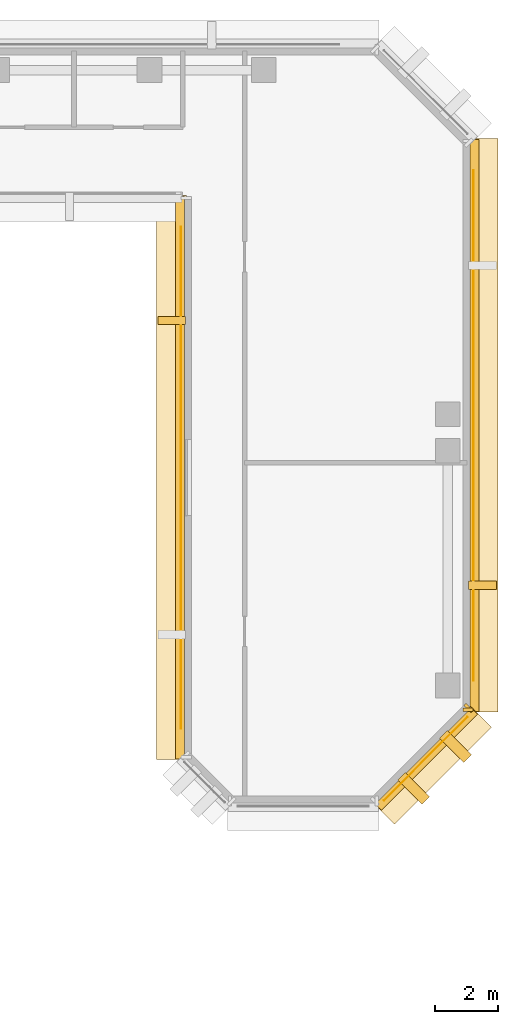
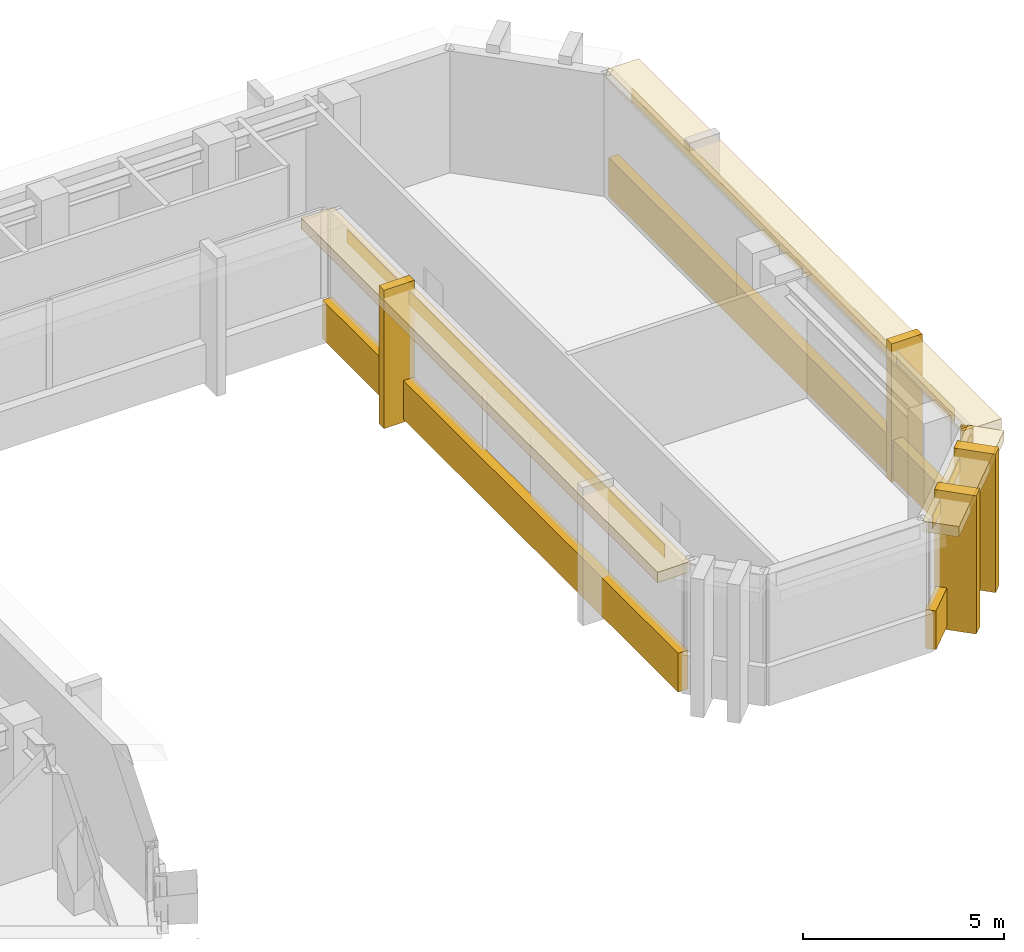
# One storey, part 10 of 12: 15 coverings.
"""IFC4 building model written with IfcOpenShell, lengths in metres."""

from ifc_helpers import new_model, si_unit, direction, frame, origin, origin_2d, place, context, subcontext, project, spatial, rectangle, extrude, material, layer, layer_set, type_object, element, save


model = new_model("IFC4")

# Units and contexts
model_context = context("Model", 3, precision=1e-05, world=origin(), true_north=direction((0.0, 1.0)))
body_context = subcontext(model_context, "Body", "Model", "MODEL_VIEW")
ifc_project = project(units=[si_unit("LENGTHUNIT", "METRE"), si_unit("AREAUNIT", "SQUARE_METRE"), si_unit("VOLUMEUNIT", "CUBIC_METRE"), si_unit("PLANEANGLEUNIT", "RADIAN"), si_unit("MASSUNIT", "GRAM", prefix="KILO")], contexts=[model_context])

# Site, building, storey
site_placement = place(None, origin())
site = spatial("IfcSite", under=ifc_project, at=site_placement, CompositionType="ELEMENT")
building_placement = place(site_placement, origin())
building = spatial("IfcBuilding", under=site, at=building_placement, Name="Kefirva Bronze Tower", CompositionType="ELEMENT")
storey_placement = place(building_placement, frame((0.0, 0.0, 235.6201171875)))
storey = spatial("IfcBuildingStorey", under=building, at=storey_placement, Name="L57", CompositionType="ELEMENT", Elevation=235.6201171875)

# Coverings
ifc_material = material(Name="Bronze anodised aluminium", Category="aluminium")
ifc_layer_1 = layer(ifc_material, 0.02001953125, Name="Bronze anodised aluminium")
ifc_layer_set_1 = layer_set([ifc_layer_1], Name="Bronze anodised aluminium")
covering_type_1 = type_object("IfcCoveringType", Name="Anodised Bronze Spandrel Cladding 20mm", PredefinedType="CLADDING", material=ifc_layer_set_1)
covering_1_placement = place(storey_placement, frame((40.989990234375, 32.35009765625, 3.2900390625), z_axis=(0.0, 0.0, 1.0), x_axis=(0.0, -1.0, 0.0)))
element("IfcCovering", 1, at=covering_1_placement, inside=storey, type_object=covering_type_1, Name="L57 Bronze Spandrel Cladding 5", PredefinedType="CLADDING", context=body_context, shape_type="SweptSolid", body=[
    extrude(rectangle(XDim=15.8310546875, YDim=0.02001953125, at=origin_2d()), origin(), (0.0, 0.0, 1.0), 0.39990234375),
])
covering_2_placement = place(storey_placement, frame((40.9599609375, 32.35009765625, -0.16015625), z_axis=(0.0, 0.0, 1.0), x_axis=(0.0, -1.0, 0.0)))
element("IfcCovering", 2, at=covering_2_placement, inside=storey, type_object=covering_type_1, Name="L57 Streamline Horizontal Spandrel Band 7", PredefinedType="CLADDING", context=body_context, shape_type="SweptSolid", body=[
    extrude(rectangle(XDim=17.739990234375, YDim=0.280029296875, at=origin_2d()), origin(), (0.0, 0.0, 1.0), 1.179931640625),
])
covering_3_placement = place(storey_placement, frame((48.70703125, 23.492919921875, 3.2900390625), z_axis=(0.0, 0.0, 1.0), x_axis=(0.707106781187, 0.707106781187, 0.0)))
element("IfcCovering", 3, at=covering_3_placement, inside=storey, type_object=covering_type_1, Name="L57 Bronze Spandrel Cladding 8", PredefinedType="CLADDING", context=body_context, shape_type="SweptSolid", body=[
    extrude(rectangle(XDim=3.719482421875, YDim=0.02001953125, at=origin_2d()), origin(), (0.0, 0.0, 1.0), 0.39990234375),
])
covering_4_placement = place(storey_placement, frame((50.06201171875, 25.08837890625, 0.0), z_axis=(0.0, 0.0, 1.0), x_axis=(0.707106781187, 0.707106781187, 0.0)))
element("IfcCovering", 4, at=covering_4_placement, inside=storey, type_object=covering_type_1, Name="L57 Facade Joint Closure Panel 8E", PredefinedType="CLADDING", context=body_context, shape_type="SweptSolid", body=[
    extrude(rectangle(XDim=0.10009765625, YDim=0.320068359375, at=origin_2d()), origin(), (0.0, 0.0, 1.0), 3.7099609375),
])
covering_5_placement = place(storey_placement, frame((48.728271484375, 23.4716796875, -0.16015625), z_axis=(0.0, 0.0, 1.0), x_axis=(0.707106781187, 0.707106781187, 0.0)))
element("IfcCovering", 5, at=covering_5_placement, inside=storey, type_object=covering_type_1, Name="L57 Streamline Horizontal Spandrel Band 10", PredefinedType="CLADDING", context=body_context, shape_type="SweptSolid", body=[
    extrude(rectangle(XDim=4.28271484375, YDim=0.280029296875, at=origin_2d()), origin(), (0.0, 0.0, 1.0), 1.179931640625),
])
covering_6_placement = place(storey_placement, frame((50.2099609375, 34.0, 3.2900390625), z_axis=(0.0, 0.0, 1.0), x_axis=(0.0, 1.0, 0.0)))
element("IfcCovering", 6, at=covering_6_placement, inside=storey, type_object=covering_type_1, Name="L57 Bronze Spandrel Cladding 9", PredefinedType="CLADDING", context=body_context, shape_type="SweptSolid", body=[
    extrude(rectangle(XDim=16.10107421875, YDim=0.02001953125, at=origin_2d()), origin(), (0.0, 0.0, 1.0), 0.39990234375),
])
covering_7_placement = place(storey_placement, frame((50.0400390625, 25.034912109375, 0.0), z_axis=(0.0, 0.0, 1.0), x_axis=(0.0, 1.0, 0.0)))
element("IfcCovering", 7, at=covering_7_placement, inside=storey, type_object=covering_type_1, Name="L57 Facade Joint Closure Panel 9S", PredefinedType="CLADDING", context=body_context, shape_type="SweptSolid", body=[
    extrude(rectangle(XDim=0.10009765625, YDim=0.320068359375, at=origin_2d()), origin(), (0.0, 0.0, 1.0), 3.7099609375),
])
covering_8_placement = place(storey_placement, frame((50.239990234375, 34.0, -0.16015625), z_axis=(0.0, 0.0, 1.0), x_axis=(0.0, 1.0, 0.0)))
element("IfcCovering", 8, at=covering_8_placement, inside=storey, type_object=covering_type_1, Name="L57 Streamline Horizontal Spandrel Band 11", PredefinedType="CLADDING", context=body_context, shape_type="SweptSolid", body=[
    extrude(rectangle(XDim=18.0400390625, YDim=0.280029296875, at=origin_2d()), origin(), (0.0, 0.0, 1.0), 1.179931640625),
])
ifc_layer_2 = layer(ifc_material, 0.179931640625, Name="Bronze anodised aluminium")
ifc_layer_set_2 = layer_set([ifc_layer_2], Name="Bronze anodised aluminium")
covering_type_2 = type_object("IfcCoveringType", Name="Streamline Bronze Sunshade Eyebrow Cladding 180mm", PredefinedType="CLADDING", material=ifc_layer_set_2)
covering_9_placement = place(storey_placement, frame((40.68994140625, 32.35009765625, 3.3896484375), z_axis=(0.0, 0.0, 1.0), x_axis=(0.0, -1.0, 0.0)))
element("IfcCovering", 9, at=covering_9_placement, inside=storey, type_object=covering_type_2, Name="L57 Streamline Bronze Sunshade Eyebrow 7", PredefinedType="CLADDING", context=body_context, shape_type="SweptSolid", body=[
    extrude(rectangle(XDim=17.780029296875, YDim=0.93994140625, at=origin_2d()), origin(), (0.0, 0.0, 1.0), 0.320068359375),
])
covering_10_placement = place(storey_placement, frame((48.919189453125, 23.28076171875, 3.3896484375), z_axis=(0.0, 0.0, 1.0), x_axis=(0.707106781187, 0.707106781187, 0.0)))
element("IfcCovering", 10, at=covering_10_placement, inside=storey, type_object=covering_type_2, Name="L57 Streamline Bronze Sunshade Eyebrow 10", PredefinedType="CLADDING", context=body_context, shape_type="SweptSolid", body=[
    extrude(rectangle(XDim=4.322509765625, YDim=0.93994140625, at=origin_2d()), origin(), (0.0, 0.0, 1.0), 0.320068359375),
])
covering_11_placement = place(storey_placement, frame((50.510009765625, 34.0, 3.3896484375), z_axis=(0.0, 0.0, 1.0), x_axis=(0.0, 1.0, 0.0)))
element("IfcCovering", 11, at=covering_11_placement, inside=storey, type_object=covering_type_2, Name="L57 Streamline Bronze Sunshade Eyebrow 11", PredefinedType="CLADDING", context=body_context, shape_type="SweptSolid", body=[
    extrude(rectangle(XDim=18.080078125, YDim=0.93994140625, at=origin_2d()), origin(), (0.0, 0.0, 1.0), 0.320068359375),
])
ifc_layer_3 = layer(ifc_material, 0.260009765625, Name="Bronze anodised aluminium")
ifc_layer_set_3 = layer_set([ifc_layer_3], Name="Bronze anodised aluminium")
covering_type_3 = type_object("IfcCoveringType", Name="Unbroken Bronze Buttress Fin Cladding 260mm", PredefinedType="CLADDING", material=ifc_layer_set_3)
covering_12_placement = place(storey_placement, frame((40.699951171875, 37.305908203125, -0.25), z_axis=(0.0, 0.0, 1.0), x_axis=(0.0, -1.0, 0.0)))
element("IfcCovering", 12, at=covering_12_placement, inside=storey, type_object=covering_type_3, Name="L57 Unbroken Vertical Bronze Rib Fin 13", PredefinedType="CLADDING", context=body_context, shape_type="SweptSolid", body=[
    extrude(rectangle(XDim=0.260009765625, YDim=0.8798828125, at=origin_2d()), origin(), (0.0, 0.0, 1.0), 4.2099609375),
])
for number, where, z_axis, x_axis, name in (
    (13, (48.32275390625, 22.55712890625, -0.25), (0.0, 0.0, 1.0), (0.707106781187, 0.707106781187, 0.0), "L57 Chamfered Corner Buttress Fin Cladding 17"),
    (14, (49.642822265625, 23.877197265625, -0.25), (0.0, 0.0, 1.0), (0.707106781187, 0.707106781187, 0.0), "L57 Chamfered Corner Buttress Fin Cladding 18"),
):
    element("IfcCovering", number, at=place(storey_placement, frame(where, z_axis=z_axis, x_axis=x_axis)), inside=storey, type_object=covering_type_3, Name=name, PredefinedType="CLADDING", context=body_context, shape_type="SweptSolid", body=[
        extrude(rectangle(XDim=0.340087890625, YDim=1.080078125, at=origin_2d()), origin(), (0.0, 0.0, 1.0), 4.2099609375),
    ])
covering_13_placement = place(storey_placement, frame((50.5, 28.9599609375, -0.25), z_axis=(0.0, 0.0, 1.0), x_axis=(0.0, 1.0, 0.0)))
element("IfcCovering", 15, at=covering_13_placement, inside=storey, type_object=covering_type_3, Name="L57 Unbroken Vertical Bronze Rib Fin 19", PredefinedType="CLADDING", context=body_context, shape_type="SweptSolid", body=[
    extrude(rectangle(XDim=0.260009765625, YDim=0.8798828125, at=origin_2d()), origin(), (0.0, 0.0, 1.0), 4.2099609375),
])

save(model, "model.ifc")
